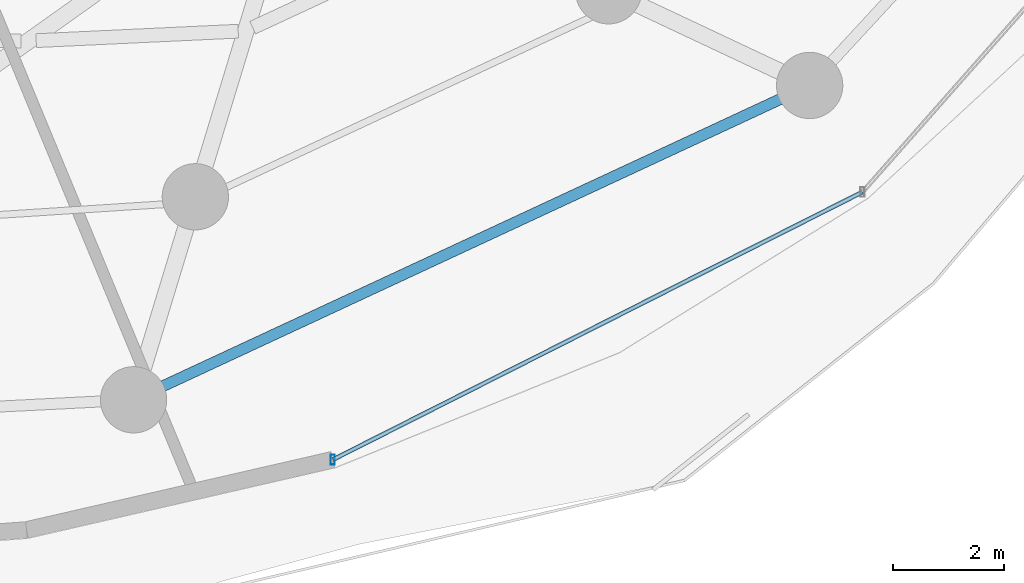
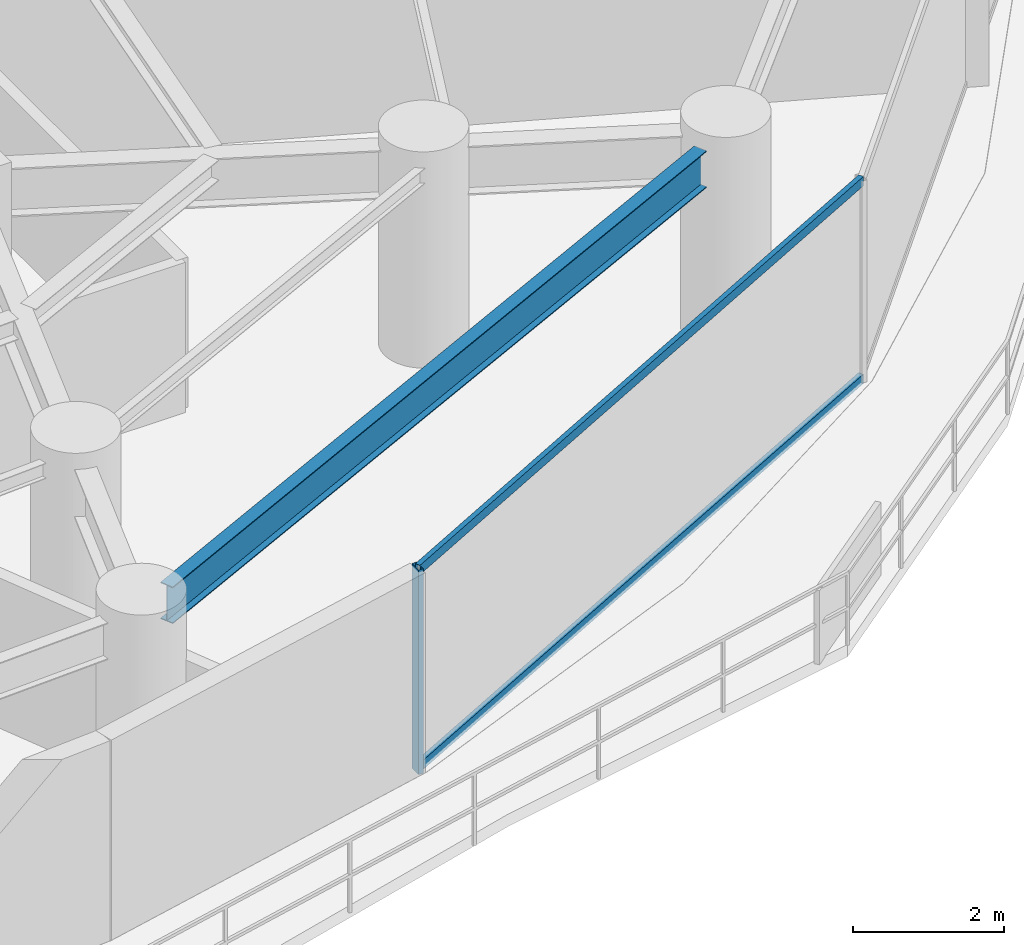
# One storey, part 12 of 35: 3 members, 1 beam, 1 element without a shape of its own.
"""IFC4 building model written with IfcOpenShell, lengths in metres."""

from ifc_helpers import new_model, si_unit, direction, frame, origin, origin_2d, place, context, subcontext, project, spatial, hollow_rectangle, i_section, extrude, material, material_profile, profile_set, type_object, element, aggregate, save


model = new_model("IFC4")

# Units and contexts
model_context = context("Model", 3, precision=1e-05, world=origin(), true_north=direction((0.0, 1.0)))
body_context = subcontext(model_context, "Body", "Model", "MODEL_VIEW")
ifc_project = project(units=[si_unit("LENGTHUNIT", "METRE"), si_unit("AREAUNIT", "SQUARE_METRE"), si_unit("VOLUMEUNIT", "CUBIC_METRE"), si_unit("PLANEANGLEUNIT", "RADIAN"), si_unit("MASSUNIT", "GRAM", prefix="KILO")], contexts=[model_context])

# Site, building, storey
site_placement = place(None, origin())
site = spatial("IfcSite", under=ifc_project, at=site_placement, CompositionType="ELEMENT")
building_placement = place(site_placement, origin())
building = spatial("IfcBuilding", under=site, at=building_placement, Name="Vorneva Point Tower", CompositionType="ELEMENT")
storey_placement = place(building_placement, frame((0.0, 0.0, 48.5)))
storey = spatial("IfcBuildingStorey", under=building, at=storey_placement, Name="L12", CompositionType="ELEMENT", Elevation=48.5)

# Beam
ifc_material_1 = material(Name="Steel S355", Category="steel")
ifc_material_profile_1 = material_profile(ifc_material_1, i_section(OverallWidth=0.198974609375, OverallDepth=0.595947265625, WebThickness=0.010009765625, FlangeThickness=0.014892578125, at=origin_2d()), Name="60B1")
ifc_profile_set_1 = profile_set([ifc_material_profile_1], Name="Steel S355")
beam_type = type_object("IfcBeamType", Name="BM-SPN-60B1", PredefinedType="SPANDREL", material=ifc_profile_set_1)
beam_placement = place(storey_placement, frame((46.233642578125, 6.681884765625, 2.94189453125), z_axis=(0.906772901024, 0.421619385191, 0.0), x_axis=(-0.421619385191, 0.906772901024, 0.0)))
element("IfcBeam", 1, at=beam_placement, inside=storey, type_object=beam_type, Name="L12 Perimeter Spandrel Ring Beam 14", PredefinedType="SPANDREL", context=body_context, shape_type="SweptSolid", body=[
    extrude(i_section(OverallWidth=0.198974609375, OverallDepth=0.595947265625, WebThickness=0.010009765625, FlangeThickness=0.014892578125, at=origin_2d()), origin(), (0.0, 0.0, 1.0), 12.323486328125),
])

# Curtain wall, members
ifc_material_2 = material(Name="Pale anodised aluminium", Category="aluminium")
curtain_wall_type = type_object("IfcCurtainWallType", Name="CW-HTL-SYS", PredefinedType="NOTDEFINED", material=ifc_material_2)
curtain_wall_placement = place(storey_placement, origin())
curtain_wall = element("IfcCurtainWall", 2, at=curtain_wall_placement, inside=storey, type_object=curtain_wall_type, Name="L12 Unitised Curtain Wall CW-L12-R01", PredefinedType="NOTDEFINED")
ifc_material_profile_2 = material_profile(ifc_material_2, hollow_rectangle(XDim=0.074951171875, YDim=0.179931640625, WallThickness=0.00390625, at=origin_2d()), Name="AL-MUL 180x75x4")
ifc_profile_set_2 = profile_set([ifc_material_profile_2], Name="Pale anodised aluminium")
member_type_1 = type_object("IfcMemberType", Name="CW-MUL-180", PredefinedType="MULLION", material=ifc_profile_set_2)
member_1_placement = place(storey_placement, frame((49.308349609375, 5.351318359375, -0.0400390625), z_axis=(0.0, 0.0, 1.0), x_axis=(1.0, 0.0, 0.0)))
member_1 = element("IfcMember", 3, at=member_1_placement, type_object=member_type_1, Name="CW-L12-R01 Mullion 01", PredefinedType="MULLION", context=body_context, shape_type="SweptSolid", body=[
    extrude(hollow_rectangle(XDim=0.074951171875, YDim=0.179931640625, WallThickness=0.00390625, at=origin_2d()), origin(), (0.0, 0.0, 1.0), 3.31005859375),
])
ifc_material_profile_3 = material_profile(ifc_material_2, hollow_rectangle(XDim=0.074951171875, YDim=0.14990234375, WallThickness=0.00390625, at=origin_2d()), Name="AL-TRN 150x75x4")
ifc_profile_set_3 = profile_set([ifc_material_profile_3], Name="Pale anodised aluminium")
member_type_2 = type_object("IfcMemberType", Name="CW-TRN-150", PredefinedType="USERDEFINED", material=ifc_profile_set_3)
member_2_placement = place(storey_placement, frame((49.308349609375, 5.351318359375, 0.02001953125), z_axis=(0.892496057621, 0.451055192999, 0.0), x_axis=(-0.451055192999, 0.892496057621, 0.0)))
member_2 = element("IfcMember", 4, at=member_2_placement, type_object=member_type_2, Name="CW-L12-R01 Transom 01.1", ObjectType="TRANSOM", PredefinedType="USERDEFINED", context=body_context, shape_type="SweptSolid", body=[
    extrude(hollow_rectangle(XDim=0.074951171875, YDim=0.14990234375, WallThickness=0.00390625, at=origin_2d()), origin(), (0.0, 0.0, 1.0), 10.741455078125),
])
member_3_placement = place(storey_placement, frame((49.308349609375, 5.351318359375, 3.219970703125), z_axis=(0.892496057621, 0.451055192999, 0.0), x_axis=(-0.451055192999, 0.892496057621, 0.0)))
member_3 = element("IfcMember", 5, at=member_3_placement, type_object=member_type_2, Name="CW-L12-R01 Transom 01.2", ObjectType="TRANSOM", PredefinedType="USERDEFINED", context=body_context, shape_type="SweptSolid", body=[
    extrude(hollow_rectangle(XDim=0.074951171875, YDim=0.14990234375, WallThickness=0.00390625, at=origin_2d()), origin(), (0.0, 0.0, 1.0), 10.741455078125),
])
aggregate(curtain_wall, [member_1, member_2, member_3])

save(model, "model.ifc")
